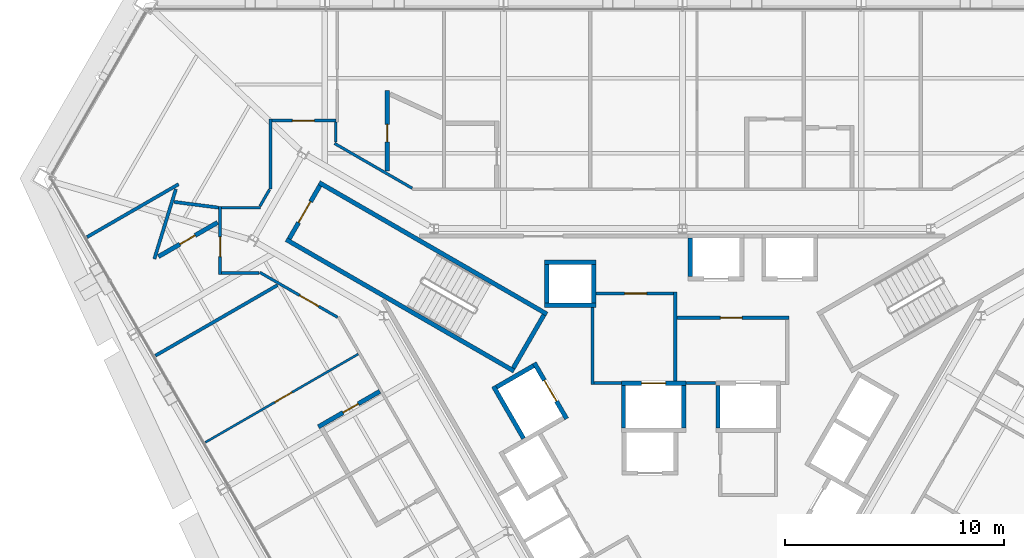
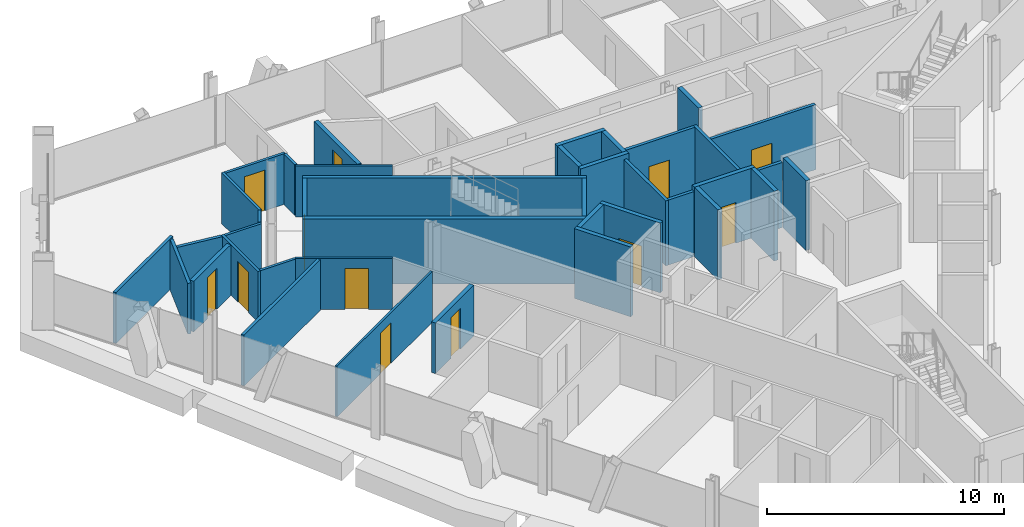
# One storey, part 15 of 19: 39 walls, 12 doors, 12 openings.
"""IFC4 building model written with IfcOpenShell, lengths in metres."""

from ifc_helpers import new_model, si_unit, direction, frame, frame_2d, origin, place, context, subcontext, project, spatial, rectangle, extrude, material, layer, layer_set, type_object, element, fill, save


model = new_model("IFC4")

# Units and contexts
model_context = context("Model", 3, precision=1e-05, world=origin(), true_north=direction((0.0, 1.0)))
body_context = subcontext(model_context, "Body", "Model", "MODEL_VIEW")
ifc_project = project(units=[si_unit("LENGTHUNIT", "METRE"), si_unit("AREAUNIT", "SQUARE_METRE"), si_unit("VOLUMEUNIT", "CUBIC_METRE"), si_unit("PLANEANGLEUNIT", "RADIAN"), si_unit("MASSUNIT", "GRAM", prefix="KILO")], contexts=[model_context])

# Site, building, storey
site_placement = place(None, origin())
site = spatial("IfcSite", under=ifc_project, at=site_placement, CompositionType="ELEMENT")
building_placement = place(site_placement, origin())
building = spatial("IfcBuilding", under=site, at=building_placement, Name="Verrane Prism Tower", CompositionType="ELEMENT")
storey_placement = place(building_placement, frame((0.0, 0.0, 125.199951171875)))
storey = spatial("IfcBuildingStorey", under=building, at=storey_placement, Name="L30", CompositionType="ELEMENT", Elevation=125.199951171875)

# Wall, opening, door
ifc_material_1 = material(Name="Concrete C40/50", Category="concrete")
ifc_layer_1 = layer(ifc_material_1, 0.199951171875)
ifc_layer_set_1 = layer_set([ifc_layer_1], Name="CW-200 stair core wall concrete C40/50 3 h")
wall_type_1 = type_object("IfcWallType", Name="CW-200 stair core wall concrete C40/50 3 h", PredefinedType="PARTITIONING", material=ifc_layer_set_1)
wall_1_placement = place(storey_placement, frame((-16.533935546875, 11.162353515625, 0.0), z_axis=(0.0, 0.0, 1.0), x_axis=(-0.49998411664, -0.866034573852, 0.0)))
wall_1 = element("IfcWall", 1, at=wall_1_placement, inside=storey, type_object=wall_type_1, Name="Stair 2 enclosure wall", PredefinedType="PARTITIONING", context=body_context, shape_type="SweptSolid", body=[
    extrude(rectangle(XDim=2.7998046875, YDim=0.199951171875, at=frame_2d((1.39990234375, 0.0))), origin(), (0.0, 0.0, 1.0), 3.35009765625),
])
opening_1_placement = place(wall_1_placement, frame((0.849853515625, 0.0, 0.0)))
opening_1 = element("IfcOpeningElement", 2, at=opening_1_placement, cuts=wall_1, Name="Opening D29501", PredefinedType="OPENING", context=body_context, shape_type="SweptSolid", body=[
    extrude(rectangle(XDim=1.10009765625, YDim=2.10009765625, at=frame_2d((0.550048828125, 1.050048828125))), frame((0.0, 0.10986328125, 0.0), z_axis=(0.0, -1.0, 0.0), x_axis=(1.0, 0.0, 0.0)), (0.0, 0.0, 1.0), 0.219970703125),
])
ifc_material_2 = material(Name="Timber veneered door leaf", Category="wood")
door_type_1 = type_object("IfcDoorType", Name="DR-1100x2100 FD90 single leaf stair", OperationType="NOTDEFINED", PredefinedType="DOOR", material=ifc_material_2)
door_1_placement = place(opening_1_placement, origin())
door_1 = element("IfcDoor", 3, at=door_1_placement, inside=storey, type_object=door_type_1, Name="Stair 2 door", OperationType="SINGLE_SWING_RIGHT", OverallHeight=2.10009765625, OverallWidth=1.10009765625, PredefinedType="DOOR", context=body_context, shape_type="SweptSolid", body=[
    extrude(rectangle(XDim=1.10009765625, YDim=2.10009765625, at=frame_2d((0.550048828125, 1.050048828125))), frame((0.0, 0.02490234375, 0.0), z_axis=(0.0, -1.0, 0.0), x_axis=(1.0, 0.0, 0.0)), (0.0, 0.0, 1.0), 0.050048828125),
])
fill(opening_1, door_1)

# Walls
for number, where, z_axis, x_axis, name in (
    (4, (-7.67822265625, 2.700927734375, 0.0), (0.0, 0.0, 1.0), (-0.866026010844, 0.49999894854, 0.0), "Stair 2 enclosure wall"),
    (5, (-6.17822265625, 5.299072265625, 0.0), (0.0, 0.0, 1.0), (-0.866026010844, 0.49999894854, 0.0), "Stair 2 enclosure wall"),
):
    element("IfcWall", number, at=place(storey_placement, frame(where, z_axis=z_axis, x_axis=x_axis)), inside=storey, type_object=wall_type_1, Name=name, PredefinedType="PARTITIONING", context=body_context, shape_type="SweptSolid", body=[
        extrude(rectangle(XDim=12.0, YDim=0.199951171875, at=frame_2d((6.0, 0.0))), origin(), (0.0, 0.0, 1.0), 3.35009765625),
    ])
wall_2_placement = place(storey_placement, frame((-6.314697265625, 5.262451171875, 0.0), z_axis=(0.0, 0.0, 1.0), x_axis=(-0.500049511043, -0.865996816683, 0.0)))
element("IfcWall", 6, at=wall_2_placement, inside=storey, type_object=wall_type_1, Name="Stair 2 enclosure wall", PredefinedType="PARTITIONING", context=body_context, shape_type="SweptSolid", body=[
    extrude(rectangle(XDim=2.800048828125, YDim=0.199951171875, at=frame_2d((1.39990234375, 0.0))), origin(), (0.0, 0.0, 1.0), 3.35009765625),
])

# Wall, opening, door
ifc_material_3 = material(Name="Gypsum board shaft wall assembly", Category="other")
ifc_layer_2 = layer(ifc_material_3, 0.199951171875)
ifc_layer_set_2 = layer_set([ifc_layer_2], Name="HW-200 lift shaft wall 2 h")
wall_type_2 = type_object("IfcWallType", Name="HW-200 lift shaft wall 2 h", PredefinedType="PARTITIONING", material=ifc_layer_set_2)
wall_3_placement = place(storey_placement, frame((-2.784912109375, 2.14990234375, 0.0), z_axis=(0.0, 0.0, 1.0), x_axis=(1.0, 0.0, 0.0)))
wall_3 = element("IfcWall", 7, at=wall_3_placement, inside=storey, type_object=wall_type_2, Name="Lift shaft wall", PredefinedType="PARTITIONING", context=body_context, shape_type="SweptSolid", body=[
    extrude(rectangle(XDim=2.949951171875, YDim=0.199951171875, at=frame_2d((1.47509765625, 0.0))), origin(), (0.0, 0.0, 1.0), 3.60009765625),
])
opening_2_placement = place(wall_3_placement, frame((0.925048828125, 0.0, 0.0)))
opening_2 = element("IfcOpeningElement", 8, at=opening_2_placement, cuts=wall_3, Name="Opening D29508", PredefinedType="OPENING", context=body_context, shape_type="SweptSolid", body=[
    extrude(rectangle(XDim=1.10009765625, YDim=2.10009765625, at=frame_2d((0.550048828125, 1.050048828125))), frame((0.0, 0.10986328125, 0.0), z_axis=(0.0, -1.0, 0.0), x_axis=(1.0, 0.0, 0.0)), (0.0, 0.0, 1.0), 0.219970703125),
])
ifc_material_4 = material(Name="Stainless steel sliding landing door", Category="steel")
door_type_2 = type_object("IfcDoorType", Name="LD-1100x2100 lift landing door FD90 sliding", OperationType="NOTDEFINED", PredefinedType="DOOR", material=ifc_material_4)
door_2_placement = place(opening_2_placement, origin())
door_2 = element("IfcDoor", 9, at=door_2_placement, inside=storey, type_object=door_type_2, Name="Fire service lift 1 landing door", OperationType="SLIDING_TO_LEFT", OverallHeight=2.10009765625, OverallWidth=1.10009765625, PredefinedType="DOOR", context=body_context, shape_type="SweptSolid", body=[
    extrude(rectangle(XDim=1.10009765625, YDim=2.10009765625, at=frame_2d((0.550048828125, 1.050048828125))), frame((0.0, 0.02490234375, 0.0), z_axis=(0.0, -1.0, 0.0), x_axis=(1.0, 0.0, 0.0)), (0.0, 0.0, 1.0), 0.050048828125),
])
fill(opening_2, door_2)

# Walls
for number, where, z_axis, x_axis, name in (
    (10, (-6.284912109375, 5.7099609375, 0.0), (0.0, 0.0, 1.0), (1.0, 0.0, 0.0), "Lift shaft wall"),
    (11, (-6.284912109375, 7.659912109375, 0.0), (0.0, 0.0, 1.0), (1.0, 0.0, 0.0), "Lift shaft wall"),
):
    element("IfcWall", number, at=place(storey_placement, frame(where, z_axis=z_axis, x_axis=x_axis)), inside=storey, type_object=wall_type_2, Name=name, PredefinedType="PARTITIONING", context=body_context, shape_type="SweptSolid", body=[
        extrude(rectangle(XDim=2.349853515625, YDim=0.199951171875, at=frame_2d((1.1748046875, 0.0))), origin(), (0.0, 0.0, 1.0), 3.60009765625),
    ])
for number, where, z_axis, x_axis, name in (
    (12, (-8.48046875, 1.968505859375, 0.0), (0.0, 0.0, 1.0), (0.866000020948, 0.500043961785, 0.0), "Lift shaft wall"),
    (13, (1.625, 0.10009765625, 0.0), (0.0, 0.0, 1.0), (0.0, 1.0, 0.0), "Lift shaft wall"),
):
    element("IfcWall", number, at=place(storey_placement, frame(where, z_axis=z_axis, x_axis=x_axis)), inside=storey, type_object=wall_type_2, Name=name, PredefinedType="PARTITIONING", context=body_context, shape_type="SweptSolid", body=[
        extrude(rectangle(XDim=1.949951171875, YDim=0.199951171875, at=frame_2d((0.97509765625, 0.0))), origin(), (0.0, 0.0, 1.0), 3.60009765625),
    ])
wall_4_placement = place(storey_placement, frame((0.364990234375, 7.010009765625, 0.0), z_axis=(0.0, 0.0, 1.0), x_axis=(0.0, 1.0, 0.0)))
element("IfcWall", 14, at=wall_4_placement, inside=storey, type_object=wall_type_2, Name="Lift shaft wall", PredefinedType="PARTITIONING", context=body_context, shape_type="SweptSolid", body=[
    extrude(rectangle(XDim=1.75, YDim=0.199951171875, at=frame_2d((0.875, 0.0))), origin(), (0.0, 0.0, 1.0), 3.60009765625),
])
for number, where, z_axis, x_axis, name in (
    (15, (0.06494140625, 0.10009765625, 0.0), (0.0, 0.0, 1.0), (0.0, 1.0, 0.0), "Lift shaft wall"),
    (16, (-2.68505859375, 0.10009765625, 0.0), (0.0, 0.0, 1.0), (0.0, 1.0, 0.0), "Lift shaft wall"),
):
    element("IfcWall", number, at=place(storey_placement, frame(where, z_axis=z_axis, x_axis=x_axis)), inside=storey, type_object=wall_type_2, Name=name, PredefinedType="PARTITIONING", context=body_context, shape_type="SweptSolid", body=[
        extrude(rectangle(XDim=1.949951171875, YDim=0.199951171875, at=frame_2d((0.97509765625, 0.0))), origin(), (0.0, 0.0, 1.0), 3.60009765625),
    ])
for number, where, z_axis, x_axis, name in (
    (17, (-4.034912109375, 5.81005859375, 0.0), (0.0, 0.0, 1.0), (0.0, 1.0, 0.0), "Lift shaft wall"),
    (18, (-6.18505859375, 5.81005859375, 0.0), (0.0, 0.0, 1.0), (0.0, 1.0, 0.0), "Lift shaft wall"),
):
    element("IfcWall", number, at=place(storey_placement, frame(where, z_axis=z_axis, x_axis=x_axis)), inside=storey, type_object=wall_type_2, Name=name, PredefinedType="PARTITIONING", context=body_context, shape_type="SweptSolid", body=[
        extrude(rectangle(XDim=1.75, YDim=0.199951171875, at=frame_2d((0.875, 0.0))), origin(), (0.0, 0.0, 1.0), 3.60009765625),
    ])

# Wall, opening, door
wall_5_placement = place(storey_placement, frame((-5.280029296875, 0.525390625, 0.0), z_axis=(0.0, 0.0, 1.0), x_axis=(-0.500037662692, 0.866003658127, 0.0)))
wall_5 = element("IfcWall", 19, at=wall_5_placement, inside=storey, type_object=wall_type_2, Name="Lift shaft wall", PredefinedType="PARTITIONING", context=body_context, shape_type="SweptSolid", body=[
    extrude(rectangle(XDim=2.949951171875, YDim=0.199951171875, at=frame_2d((1.47509765625, 0.0))), origin(), (0.0, 0.0, 1.0), 3.60009765625),
])
opening_3_placement = place(wall_5_placement, frame((0.925048828125, 0.0, 0.0)))
opening_3 = element("IfcOpeningElement", 20, at=opening_3_placement, cuts=wall_5, Name="Opening D29510", PredefinedType="OPENING", context=body_context, shape_type="SweptSolid", body=[
    extrude(rectangle(XDim=1.10009765625, YDim=2.10009765625, at=frame_2d((0.550048828125, 1.050048828125))), frame((0.0, 0.10986328125, 0.0), z_axis=(0.0, -1.0, 0.0), x_axis=(1.0, 0.0, 0.0)), (0.0, 0.0, 1.0), 0.219970703125),
])
door_3_placement = place(opening_3_placement, origin())
door_3 = element("IfcDoor", 21, at=door_3_placement, inside=storey, type_object=door_type_2, Name="Service lift 1 landing door", OperationType="SLIDING_TO_LEFT", OverallHeight=2.10009765625, OverallWidth=1.10009765625, PredefinedType="DOOR", context=body_context, shape_type="SweptSolid", body=[
    extrude(rectangle(XDim=1.10009765625, YDim=2.10009765625, at=frame_2d((0.550048828125, 1.050048828125))), frame((0.0, 0.02490234375, 0.0), z_axis=(0.0, -1.0, 0.0), x_axis=(1.0, 0.0, 0.0)), (0.0, 0.0, 1.0), 0.050048828125),
])
fill(opening_3, door_3)

# Walls
wall_6_placement = place(storey_placement, frame((-7.241943359375, -0.37646484375, 0.0), z_axis=(0.0, 0.0, 1.0), x_axis=(-0.499996545922, 0.866027397988, 0.0)))
element("IfcWall", 22, at=wall_6_placement, inside=storey, type_object=wall_type_2, Name="Lift shaft wall", PredefinedType="PARTITIONING", context=body_context, shape_type="SweptSolid", body=[
    extrude(rectangle(XDim=2.75, YDim=0.199951171875, at=frame_2d((1.375, 0.0))), origin(), (0.0, 0.0, 1.0), 3.60009765625),
])
ifc_material_5 = material(Name="Gypsum board partition", Category="other")
ifc_layer_3 = layer(ifc_material_5, 0.14990234375)
ifc_layer_set_3 = layer_set([ifc_layer_3], Name="LF-150 firefighting lobby wall 1 h")
wall_type_3 = type_object("IfcWallType", Name="LF-150 firefighting lobby wall 1 h", PredefinedType="PARTITIONING", material=ifc_layer_set_3)
wall_7_placement = place(storey_placement, frame((-4.10009765625, 2.0849609375, 0.0), z_axis=(0.0, 0.0, 1.0), x_axis=(0.0, 1.0, 0.0)))
element("IfcWall", 23, at=wall_7_placement, inside=storey, type_object=wall_type_3, Name="Firefighting lobby wall LF1-001", PredefinedType="PARTITIONING", context=body_context, shape_type="SweptSolid", body=[
    extrude(rectangle(XDim=3.52294921875, YDim=0.14990234375, at=frame_2d((1.761474609375, 0.0))), origin(), (0.0, 0.0, 1.0), 3.35009765625),
])
wall_8_placement = place(storey_placement, frame((-4.02490234375, 2.159912109375, 0.0), z_axis=(0.0, 0.0, 1.0), x_axis=(1.0, 0.0, 0.0)))
element("IfcWall", 24, at=wall_8_placement, inside=storey, type_object=wall_type_3, Name="Firefighting lobby wall LF1-002", PredefinedType="PARTITIONING", context=body_context, shape_type="SweptSolid", body=[
    extrude(rectangle(XDim=1.23779296875, YDim=0.14990234375, at=frame_2d((0.618896484375, 0.0))), origin(), (0.0, 0.0, 1.0), 3.35009765625),
])

# Wall, opening, door
wall_9_placement = place(storey_placement, frame((-3.93310546875, 6.239990234375, 0.0), z_axis=(0.0, 0.0, 1.0), x_axis=(1.0, 0.0, 0.0)))
wall_9 = element("IfcWall", 25, at=wall_9_placement, inside=storey, type_object=wall_type_3, Name="Firefighting lobby wall LF1-003", PredefinedType="PARTITIONING", context=body_context, shape_type="SweptSolid", body=[
    extrude(rectangle(XDim=3.5380859375, YDim=0.14990234375, at=frame_2d((1.76904296875, 0.0))), origin(), (0.0, 0.0, 1.0), 3.35009765625),
])
opening_4_placement = place(wall_9_placement, frame((1.300048828125, 0.0, 0.0)))
opening_4 = element("IfcOpeningElement", 26, at=opening_4_placement, cuts=wall_9, Name="Opening D29515", PredefinedType="OPENING", context=body_context, shape_type="SweptSolid", body=[
    extrude(rectangle(XDim=1.0, YDim=2.10009765625, at=frame_2d((0.5, 1.050048828125))), frame((0.0, 0.0849609375, 0.0), z_axis=(0.0, -1.0, 0.0), x_axis=(1.0, 0.0, 0.0)), (0.0, 0.0, 1.0), 0.169921875),
])
ifc_material_6 = material(Name="Timber veneered door leaf", Category="wood")
door_type_3 = type_object("IfcDoorType", Name="DR-1000x2100 FD60 single leaf firefighting lobby", OperationType="NOTDEFINED", PredefinedType="DOOR", material=ifc_material_6)
door_4_placement = place(opening_4_placement, origin())
door_4 = element("IfcDoor", 27, at=door_4_placement, inside=storey, type_object=door_type_3, Name="Firefighting lobby door D29515", OperationType="SINGLE_SWING_LEFT", OverallHeight=2.10009765625, OverallWidth=1.0, PredefinedType="DOOR", context=body_context, shape_type="SweptSolid", body=[
    extrude(rectangle(XDim=1.0, YDim=2.10009765625, at=frame_2d((0.5, 1.050048828125))), frame((0.0, 0.02490234375, 0.0), z_axis=(0.0, -1.0, 0.0), x_axis=(1.0, 0.0, 0.0)), (0.0, 0.0, 1.0), 0.050048828125),
])
fill(opening_4, door_4)

# Wall
wall_10_placement = place(storey_placement, frame((-0.320068359375, 2.251953125, 0.0), z_axis=(0.0, 0.0, 1.0), x_axis=(0.0, 1.0, 0.0)))
element("IfcWall", 28, at=wall_10_placement, inside=storey, type_object=wall_type_3, Name="Firefighting lobby wall LF1-004", PredefinedType="PARTITIONING", context=body_context, shape_type="SweptSolid", body=[
    extrude(rectangle(XDim=4.06298828125, YDim=0.14990234375, at=frame_2d((2.031494140625, 0.0))), origin(), (0.0, 0.0, 1.0), 3.35009765625),
])

# Wall, opening, door
wall_11_placement = place(storey_placement, frame((-0.2451171875, 5.139892578125, 0.0), z_axis=(0.0, 0.0, 1.0), x_axis=(1.0, 0.0, 0.0)))
wall_11 = element("IfcWall", 29, at=wall_11_placement, inside=storey, type_object=wall_type_3, Name="Firefighting lobby wall LF1-005", PredefinedType="PARTITIONING", context=body_context, shape_type="SweptSolid", body=[
    extrude(rectangle(XDim=5.110107421875, YDim=0.14990234375, at=frame_2d((2.55517578125, 0.0))), origin(), (0.0, 0.0, 1.0), 3.35009765625),
])
opening_5_placement = place(wall_11_placement, frame((1.97509765625, 0.0, 0.0)))
opening_5 = element("IfcOpeningElement", 30, at=opening_5_placement, cuts=wall_11, Name="Opening D29516", PredefinedType="OPENING", context=body_context, shape_type="SweptSolid", body=[
    extrude(rectangle(XDim=1.0, YDim=2.10009765625, at=frame_2d((0.5, 1.050048828125))), frame((0.0, 0.0849609375, 0.0), z_axis=(0.0, -1.0, 0.0), x_axis=(1.0, 0.0, 0.0)), (0.0, 0.0, 1.0), 0.169921875),
])
door_5_placement = place(opening_5_placement, origin())
door_5 = element("IfcDoor", 31, at=door_5_placement, inside=storey, type_object=door_type_3, Name="Firefighting lobby door D29516", OperationType="SINGLE_SWING_RIGHT", OverallHeight=2.10009765625, OverallWidth=1.0, PredefinedType="DOOR", context=body_context, shape_type="SweptSolid", body=[
    extrude(rectangle(XDim=1.0, YDim=2.10009765625, at=frame_2d((0.5, 1.050048828125))), frame((0.0, 0.02490234375, 0.0), z_axis=(0.0, -1.0, 0.0), x_axis=(1.0, 0.0, 0.0)), (0.0, 0.0, 1.0), 0.050048828125),
])
fill(opening_5, door_5)

# Wall
wall_12_placement = place(storey_placement, frame((0.1669921875, 2.159912109375, 0.0), z_axis=(0.0, 0.0, 1.0), x_axis=(1.0, 0.0, 0.0)))
element("IfcWall", 32, at=wall_12_placement, inside=storey, type_object=wall_type_3, Name="Firefighting lobby wall LF1-006", PredefinedType="PARTITIONING", context=body_context, shape_type="SweptSolid", body=[
    extrude(rectangle(XDim=1.35595703125, YDim=0.14990234375, at=frame_2d((0.677978515625, 0.0))), origin(), (0.0, 0.0, 1.0), 3.35009765625),
])

# Wall, opening, door
ifc_material_7 = material(Name="Gypsum board partition", Category="other")
ifc_layer_4 = layer(ifc_material_7, 0.10009765625)
ifc_layer_set_4 = layer_set([ifc_layer_4], Name="PW-100 room partition")
wall_type_4 = type_object("IfcWallType", Name="PW-100 room partition", PredefinedType="PARTITIONING", material=ifc_layer_set_4)
wall_13_placement = place(storey_placement, frame((-14.7822265625, 3.477783203125, 0.0), z_axis=(0.0, 0.0, 1.0), x_axis=(-0.866049767202, -0.499957798949, 0.0)))
wall_13 = element("IfcWall", 33, at=wall_13_placement, inside=storey, type_object=wall_type_4, Name="Room partition 006", PredefinedType="PARTITIONING", context=body_context, shape_type="SweptSolid", body=[
    extrude(rectangle(XDim=8.052001953125, YDim=0.10009765625, at=frame_2d((4.02587890625, 0.0))), origin(), (0.0, 0.0, 1.0), 2.613037109375),
])
opening_6_placement = place(wall_13_placement, frame((3.498291015625, 0.0, 0.0)))
opening_6 = element("IfcOpeningElement", 34, at=opening_6_placement, cuts=wall_13, Name="Opening D29017", PredefinedType="OPENING", context=body_context, shape_type="SweptSolid", body=[
    extrude(rectangle(XDim=0.89990234375, YDim=2.10009765625, at=frame_2d((0.449951171875, 1.050048828125))), frame((0.0, 0.06005859375, 0.0), z_axis=(0.0, -1.0, 0.0), x_axis=(1.0, 0.0, 0.0)), (0.0, 0.0, 1.0), 0.1201171875),
])
ifc_material_8 = material(Name="Timber veneered door leaf", Category="wood")
door_type_4 = type_object("IfcDoorType", Name="DR-900x2100 single leaf inner", OperationType="NOTDEFINED", PredefinedType="DOOR", material=ifc_material_8)
door_6_placement = place(opening_6_placement, origin())
door_6 = element("IfcDoor", 35, at=door_6_placement, inside=storey, type_object=door_type_4, Name="Suite Living Room door", OperationType="SINGLE_SWING_RIGHT", OverallHeight=2.10009765625, OverallWidth=0.89990234375, PredefinedType="DOOR", context=body_context, shape_type="SweptSolid", body=[
    extrude(rectangle(XDim=0.89990234375, YDim=2.10009765625, at=frame_2d((0.449951171875, 1.050048828125))), frame((0.0, 0.02490234375, 0.0), z_axis=(0.0, -1.0, 0.0), x_axis=(1.0, 0.0, 0.0)), (0.0, 0.0, 1.0), 0.050048828125),
])
fill(opening_6, door_6)

ifc_material_9 = material(Name="Gypsum board partition", Category="other")
ifc_layer_5 = layer(ifc_material_9, 0.125)
ifc_layer_set_5 = layer_set([ifc_layer_5], Name="PW-125 corridor wall 1 h")
wall_type_5 = type_object("IfcWallType", Name="PW-125 corridor wall 1 h", PredefinedType="PARTITIONING", material=ifc_layer_set_5)
wall_14_placement = place(storey_placement, frame((-21.0869140625, 7.110595703125, 0.0), z_axis=(0.0, 0.0, 1.0), x_axis=(0.0, 1.0, 0.0)))
wall_14 = element("IfcWall", 36, at=wall_14_placement, inside=storey, type_object=wall_type_5, Name="Corridor wall 007", PredefinedType="PARTITIONING", context=body_context, shape_type="SweptSolid", body=[
    extrude(rectangle(XDim=3.098876953125, YDim=0.125, at=frame_2d((1.54931640625, 0.0))), origin(), (0.0, 0.0, 1.0), 2.613037109375),
])
opening_7_placement = place(wall_14_placement, frame((0.8125, 0.0, 0.0)))
opening_7 = element("IfcOpeningElement", 37, at=opening_7_placement, cuts=wall_14, Name="Opening D29014", PredefinedType="OPENING", context=body_context, shape_type="SweptSolid", body=[
    extrude(rectangle(XDim=0.89990234375, YDim=2.10009765625, at=frame_2d((0.449951171875, 1.050048828125))), frame((0.0, 0.072509765625, 0.0), z_axis=(0.0, -1.0, 0.0), x_axis=(1.0, 0.0, 0.0)), (0.0, 0.0, 1.0), 0.14501953125),
])
ifc_material_10 = material(Name="Timber veneered door leaf", Category="wood")
door_type_5 = type_object("IfcDoorType", Name="DR-900x2100 FD20 single leaf unit", OperationType="NOTDEFINED", PredefinedType="DOOR", material=ifc_material_10)
door_7_placement = place(opening_7_placement, origin())
door_7 = element("IfcDoor", 38, at=door_7_placement, inside=storey, type_object=door_type_5, Name="Junior Suite door", OperationType="SINGLE_SWING_RIGHT", OverallHeight=2.10009765625, OverallWidth=0.89990234375, PredefinedType="DOOR", context=body_context, shape_type="SweptSolid", body=[
    extrude(rectangle(XDim=0.89990234375, YDim=2.10009765625, at=frame_2d((0.449951171875, 1.050048828125))), frame((0.0, 0.02490234375, 0.0), z_axis=(0.0, -1.0, 0.0), x_axis=(1.0, 0.0, 0.0)), (0.0, 0.0, 1.0), 0.050048828125),
])
fill(opening_7, door_7)

# Walls
wall_15_placement = place(storey_placement, frame((-21.02197265625, 7.173095703125, 0.0), z_axis=(0.0, 0.0, 1.0), x_axis=(1.0, 0.0, 0.0)))
element("IfcWall", 39, at=wall_15_placement, inside=storey, type_object=wall_type_5, Name="Corridor wall 008", PredefinedType="PARTITIONING", context=body_context, shape_type="SweptSolid", body=[
    extrude(rectangle(XDim=1.712890625, YDim=0.125, at=frame_2d((0.8564453125, 0.0))), origin(), (0.0, 0.0, 1.0), 2.613037109375),
])
wall_16_placement = place(storey_placement, frame((-21.02197265625, 10.14697265625, 0.0), z_axis=(0.0, 0.0, 1.0), x_axis=(1.0, 0.0, 0.0)))
element("IfcWall", 40, at=wall_16_placement, inside=storey, type_object=wall_type_5, Name="Corridor wall 009", PredefinedType="PARTITIONING", context=body_context, shape_type="SweptSolid", body=[
    extrude(rectangle(XDim=1.7705078125, YDim=0.125, at=frame_2d((0.88525390625, 0.0))), origin(), (0.0, 0.0, 1.0), 2.613037109375),
])
wall_17_placement = place(storey_placement, frame((-19.271484375, 10.220703125, 0.0), z_axis=(0.0, 0.0, 1.0), x_axis=(0.499881837328, 0.866093614288, 0.0)))
element("IfcWall", 41, at=wall_17_placement, inside=storey, type_object=wall_type_5, Name="Corridor wall 011", PredefinedType="PARTITIONING", context=body_context, shape_type="SweptSolid", body=[
    extrude(rectangle(XDim=0.884033203125, YDim=0.125, at=frame_2d((0.44189453125, 0.0))), origin(), (0.0, 0.0, 1.0), 2.613037109375),
])

# Wall, opening, door
wall_18_placement = place(storey_placement, frame((-15.7265625, 5.153564453125, 0.0), z_axis=(0.0, 0.0, 1.0), x_axis=(-0.865992261418, 0.50005739987, 0.0)))
wall_18 = element("IfcWall", 42, at=wall_18_placement, inside=storey, type_object=wall_type_5, Name="Corridor wall 012", PredefinedType="PARTITIONING", context=body_context, shape_type="SweptSolid", body=[
    extrude(rectangle(XDim=4.10107421875, YDim=0.125, at=frame_2d((2.050537109375, 0.0))), origin(), (0.0, 0.0, 1.0), 2.613037109375),
])
opening_8_placement = place(wall_18_placement, frame((0.99755859375, 0.0, 0.0)))
opening_8 = element("IfcOpeningElement", 43, at=opening_8_placement, cuts=wall_18, Name="Opening D29016", PredefinedType="OPENING", context=body_context, shape_type="SweptSolid", body=[
    extrude(rectangle(XDim=1.0, YDim=2.10009765625, at=frame_2d((0.5, 1.050048828125))), frame((0.0, 0.072509765625, 0.0), z_axis=(0.0, -1.0, 0.0), x_axis=(1.0, 0.0, 0.0)), (0.0, 0.0, 1.0), 0.14501953125),
])
ifc_material_11 = material(Name="Timber veneered door leaf", Category="wood")
door_type_6 = type_object("IfcDoorType", Name="DR-1000x2100 FD20 single leaf unit", OperationType="NOTDEFINED", PredefinedType="DOOR", material=ifc_material_11)
door_8_placement = place(opening_8_placement, origin())
door_8 = element("IfcDoor", 44, at=door_8_placement, inside=storey, type_object=door_type_6, Name="Suite Living Room door", OperationType="SINGLE_SWING_LEFT", OverallHeight=2.10009765625, OverallWidth=1.0, PredefinedType="DOOR", context=body_context, shape_type="SweptSolid", body=[
    extrude(rectangle(XDim=1.0, YDim=2.10009765625, at=frame_2d((0.5, 1.050048828125))), frame((0.0, 0.02490234375, 0.0), z_axis=(0.0, -1.0, 0.0), x_axis=(1.0, 0.0, 0.0)), (0.0, 0.0, 1.0), 0.050048828125),
])
fill(opening_8, door_8)

# Wall
wall_19_placement = place(storey_placement, frame((-18.787109375, 10.99755859375, 0.0), z_axis=(0.0, 0.0, 1.0), x_axis=(0.0, 1.0, 0.0)))
element("IfcWall", 45, at=wall_19_placement, inside=storey, type_object=wall_type_5, Name="Corridor wall 013", PredefinedType="PARTITIONING", context=body_context, shape_type="SweptSolid", body=[
    extrude(rectangle(XDim=3.19189453125, YDim=0.125, at=frame_2d((1.595947265625, 0.0))), origin(), (0.0, 0.0, 1.0), 2.613037109375),
])

# Wall, opening, door
wall_20_placement = place(storey_placement, frame((-18.721923828125, 14.126953125, 0.0), z_axis=(0.0, 0.0, 1.0), x_axis=(1.0, 0.0, 0.0)))
wall_20 = element("IfcWall", 46, at=wall_20_placement, inside=storey, type_object=wall_type_5, Name="Corridor wall 014", PredefinedType="PARTITIONING", context=body_context, shape_type="SweptSolid", body=[
    extrude(rectangle(XDim=2.926513671875, YDim=0.125, at=frame_2d((1.46337890625, 0.0))), origin(), (0.0, 0.0, 1.0), 2.613037109375),
])
opening_9_placement = place(wall_20_placement, frame((0.93505859375, 0.0, 0.0)))
opening_9 = element("IfcOpeningElement", 47, at=opening_9_placement, cuts=wall_20, Name="Opening D29011", PredefinedType="OPENING", context=body_context, shape_type="SweptSolid", body=[
    extrude(rectangle(XDim=1.0, YDim=2.10009765625, at=frame_2d((0.5, 1.050048828125))), frame((0.0, 0.072509765625, 0.0), z_axis=(0.0, -1.0, 0.0), x_axis=(1.0, 0.0, 0.0)), (0.0, 0.0, 1.0), 0.14501953125),
])
door_9_placement = place(opening_9_placement, origin())
door_9 = element("IfcDoor", 48, at=door_9_placement, inside=storey, type_object=door_type_6, Name="Suite Living Room door", OperationType="SINGLE_SWING_LEFT", OverallHeight=2.10009765625, OverallWidth=1.0, PredefinedType="DOOR", context=body_context, shape_type="SweptSolid", body=[
    extrude(rectangle(XDim=1.0, YDim=2.10009765625, at=frame_2d((0.5, 1.050048828125))), frame((0.0, 0.02490234375, 0.0), z_axis=(0.0, -1.0, 0.0), x_axis=(1.0, 0.0, 0.0)), (0.0, 0.0, 1.0), 0.050048828125),
])
fill(opening_9, door_9)

# Walls
wall_21_placement = place(storey_placement, frame((-15.81298828125, 13.139892578125, 0.0), z_axis=(0.0, 0.0, 1.0), x_axis=(0.0, 1.0, 0.0)))
element("IfcWall", 49, at=wall_21_placement, inside=storey, type_object=wall_type_5, Name="Corridor wall 018", PredefinedType="PARTITIONING", context=body_context, shape_type="SweptSolid", body=[
    extrude(rectangle(XDim=0.922119140625, YDim=0.125, at=frame_2d((0.4609375, 0.0))), origin(), (0.0, 0.0, 1.0), 2.613037109375),
])
wall_22_placement = place(storey_placement, frame((-15.8671875, 13.086181640625, 0.0), z_axis=(0.0, 0.0, 1.0), x_axis=(0.866070231021, -0.499922348909, 0.0)))
element("IfcWall", 50, at=wall_22_placement, inside=storey, type_object=wall_type_5, Name="Corridor wall 019", PredefinedType="PARTITIONING", context=body_context, shape_type="SweptSolid", body=[
    extrude(rectangle(XDim=4.088134765625, YDim=0.125, at=frame_2d((2.0439453125, 0.0))), origin(), (0.0, 0.0, 1.0), 2.613037109375),
])
ifc_material_12 = material(Name="Gypsum board partition", Category="other")
ifc_layer_6 = layer(ifc_material_12, 0.14990234375)
ifc_layer_set_6 = layer_set([ifc_layer_6], Name="PW-150 demising wall 1 h")
wall_type_6 = type_object("IfcWallType", Name="PW-150 demising wall 1 h", PredefinedType="PARTITIONING", material=ifc_layer_set_6)
wall_23_placement = place(storey_placement, frame((-27.15966796875, 8.81201171875, 0.0), z_axis=(0.0, 0.0, 1.0), x_axis=(0.866019508262, 0.500010211206, 0.0)))
element("IfcWall", 51, at=wall_23_placement, inside=storey, type_object=wall_type_6, Name="Demising wall 001", PredefinedType="PARTITIONING", context=body_context, shape_type="SweptSolid", body=[
    extrude(rectangle(XDim=4.82275390625, YDim=0.14990234375, at=frame_2d((2.411376953125, 0.0))), origin(), (0.0, 0.0, 1.0), 2.613037109375),
])
wall_24_placement = place(storey_placement, frame((-24.0869140625, 7.81494140625, 0.0), z_axis=(0.0, 0.0, 1.0), x_axis=(0.294507330173, 0.955649220412, 0.0)))
element("IfcWall", 52, at=wall_24_placement, inside=storey, type_object=wall_type_6, Name="Demising wall 002", PredefinedType="PARTITIONING", context=body_context, shape_type="SweptSolid", body=[
    extrude(rectangle(XDim=3.33740234375, YDim=0.14990234375, at=frame_2d((1.668701171875, 0.0))), origin(), (0.0, 0.0, 1.0), 2.613037109375),
])
wall_25_placement = place(storey_placement, frame((-24.037109375, 3.40380859375, 0.0), z_axis=(0.0, 0.0, 1.0), x_axis=(0.866018103795, 0.50001264374, 0.0)))
element("IfcWall", 53, at=wall_25_placement, inside=storey, type_object=wall_type_6, Name="Demising wall 004", PredefinedType="PARTITIONING", context=body_context, shape_type="SweptSolid", body=[
    extrude(rectangle(XDim=6.432861328125, YDim=0.14990234375, at=frame_2d((3.21630859375, 0.0))), origin(), (0.0, 0.0, 1.0), 2.613037109375),
])
wall_26_placement = place(storey_placement, frame((-23.192626953125, 10.418701171875, 0.0), z_axis=(0.0, 0.0, 1.0), x_axis=(0.991775429183, -0.127990226455, 0.0)))
element("IfcWall", 54, at=wall_26_placement, inside=storey, type_object=wall_type_6, Name="Demising wall 005", PredefinedType="PARTITIONING", context=body_context, shape_type="SweptSolid", body=[
    extrude(rectangle(XDim=2.050537109375, YDim=0.14990234375, at=frame_2d((1.025390625, 0.0))), origin(), (0.0, 0.0, 1.0), 2.613037109375),
])

# Wall, opening, door
ifc_material_13 = material(Name="Gypsum board partition", Category="other")
ifc_layer_7 = layer(ifc_material_13, 0.199951171875)
ifc_layer_set_7 = layer_set([ifc_layer_7], Name="PW-200 plumbing wall")
wall_type_7 = type_object("IfcWallType", Name="PW-200 plumbing wall", PredefinedType="PARTITIONING", material=ifc_layer_set_7)
wall_27_placement = place(storey_placement, frame((-23.90087890625, 7.922607421875, 0.0), z_axis=(0.0, 0.0, 1.0), x_axis=(0.866072196304, 0.49991894422, 0.0)))
wall_27 = element("IfcWall", 55, at=wall_27_placement, inside=storey, type_object=wall_type_7, Name="Plumbing wall 003", PredefinedType="PARTITIONING", context=body_context, shape_type="SweptSolid", body=[
    extrude(rectangle(XDim=3.119140625, YDim=0.199951171875, at=frame_2d((1.5595703125, 0.0))), origin(), (0.0, 0.0, 1.0), 2.613037109375),
])
opening_10_placement = place(wall_27_placement, frame((1.135009765625, 0.0, 0.0)))
opening_10 = element("IfcOpeningElement", 56, at=opening_10_placement, cuts=wall_27, Name="Opening D29015", PredefinedType="OPENING", context=body_context, shape_type="SweptSolid", body=[
    extrude(rectangle(XDim=0.800048828125, YDim=2.10009765625, at=frame_2d((0.39990234375, 1.050048828125))), frame((0.0, 0.10986328125, 0.0), z_axis=(0.0, -1.0, 0.0), x_axis=(1.0, 0.0, 0.0)), (0.0, 0.0, 1.0), 0.219970703125),
])
ifc_material_14 = material(Name="Timber veneered door leaf", Category="wood")
door_type_7 = type_object("IfcDoorType", Name="DR-800x2100 single leaf bath", OperationType="NOTDEFINED", PredefinedType="DOOR", material=ifc_material_14)
door_10_placement = place(opening_10_placement, origin())
door_10 = element("IfcDoor", 57, at=door_10_placement, inside=storey, type_object=door_type_7, Name="En-Suite door", OperationType="SINGLE_SWING_LEFT", OverallHeight=2.10009765625, OverallWidth=0.800048828125, PredefinedType="DOOR", context=body_context, shape_type="SweptSolid", body=[
    extrude(rectangle(XDim=0.800048828125, YDim=2.10009765625, at=frame_2d((0.39990234375, 1.050048828125))), frame((0.0, 0.02490234375, 0.0), z_axis=(0.0, -1.0, 0.0), x_axis=(1.0, 0.0, 0.0)), (0.0, 0.0, 1.0), 0.050048828125),
])
fill(opening_10, door_10)

wall_28_placement = place(storey_placement, frame((-13.800048828125, 1.77685546875, 0.0), z_axis=(0.0, 0.0, 1.0), x_axis=(-0.865983377851, -0.500072783988, 0.0)))
wall_28 = element("IfcWall", 58, at=wall_28_placement, inside=storey, type_object=wall_type_7, Name="Plumbing wall 017", PredefinedType="PARTITIONING", context=body_context, shape_type="SweptSolid", body=[
    extrude(rectangle(XDim=3.2373046875, YDim=0.199951171875, at=frame_2d((1.61865234375, 0.0))), origin(), (0.0, 0.0, 1.0), 2.613037109375),
])
opening_11_placement = place(wall_28_placement, frame((1.13720703125, 0.0, 0.0)))
opening_11 = element("IfcOpeningElement", 59, at=opening_11_placement, cuts=wall_28, Name="Opening D29018", PredefinedType="OPENING", context=body_context, shape_type="SweptSolid", body=[
    extrude(rectangle(XDim=0.800048828125, YDim=2.10009765625, at=frame_2d((0.39990234375, 1.050048828125))), frame((0.0, 0.10986328125, 0.0), z_axis=(0.0, -1.0, 0.0), x_axis=(1.0, 0.0, 0.0)), (0.0, 0.0, 1.0), 0.219970703125),
])
door_11_placement = place(opening_11_placement, origin())
door_11 = element("IfcDoor", 60, at=door_11_placement, inside=storey, type_object=door_type_7, Name="En-Suite door", OperationType="SINGLE_SWING_LEFT", OverallHeight=2.10009765625, OverallWidth=0.800048828125, PredefinedType="DOOR", context=body_context, shape_type="SweptSolid", body=[
    extrude(rectangle(XDim=0.800048828125, YDim=2.10009765625, at=frame_2d((0.39990234375, 1.050048828125))), frame((0.0, 0.02490234375, 0.0), z_axis=(0.0, -1.0, 0.0), x_axis=(1.0, 0.0, 0.0)), (0.0, 0.0, 1.0), 0.050048828125),
])
fill(opening_11, door_11)

wall_29_placement = place(storey_placement, frame((-13.469970703125, 15.498046875, 0.0), z_axis=(0.0, 0.0, 1.0), x_axis=(0.0, -1.0, 0.0)))
wall_29 = element("IfcWall", 61, at=wall_29_placement, inside=storey, type_object=wall_type_7, Name="Plumbing wall 025", PredefinedType="PARTITIONING", context=body_context, shape_type="SweptSolid", body=[
    extrude(rectangle(XDim=3.6650390625, YDim=0.199951171875, at=frame_2d((1.83251953125, 0.0))), origin(), (0.0, 0.0, 1.0), 2.613037109375),
])
opening_12_placement = place(wall_29_placement, frame((1.544921875, 0.0, 0.0)))
opening_12 = element("IfcOpeningElement", 62, at=opening_12_placement, cuts=wall_29, Name="Opening D29013", PredefinedType="OPENING", context=body_context, shape_type="SweptSolid", body=[
    extrude(rectangle(XDim=0.800048828125, YDim=2.10009765625, at=frame_2d((0.39990234375, 1.050048828125))), frame((0.0, 0.10986328125, 0.0), z_axis=(0.0, -1.0, 0.0), x_axis=(1.0, 0.0, 0.0)), (0.0, 0.0, 1.0), 0.219970703125),
])
door_12_placement = place(opening_12_placement, origin())
door_12 = element("IfcDoor", 63, at=door_12_placement, inside=storey, type_object=door_type_7, Name="En-Suite door", OperationType="SINGLE_SWING_RIGHT", OverallHeight=2.10009765625, OverallWidth=0.800048828125, PredefinedType="DOOR", context=body_context, shape_type="SweptSolid", body=[
    extrude(rectangle(XDim=0.800048828125, YDim=2.10009765625, at=frame_2d((0.39990234375, 1.050048828125))), frame((0.0, 0.02490234375, 0.0), z_axis=(0.0, -1.0, 0.0), x_axis=(1.0, 0.0, 0.0)), (0.0, 0.0, 1.0), 0.050048828125),
])
fill(opening_12, door_12)

save(model, "model.ifc")
